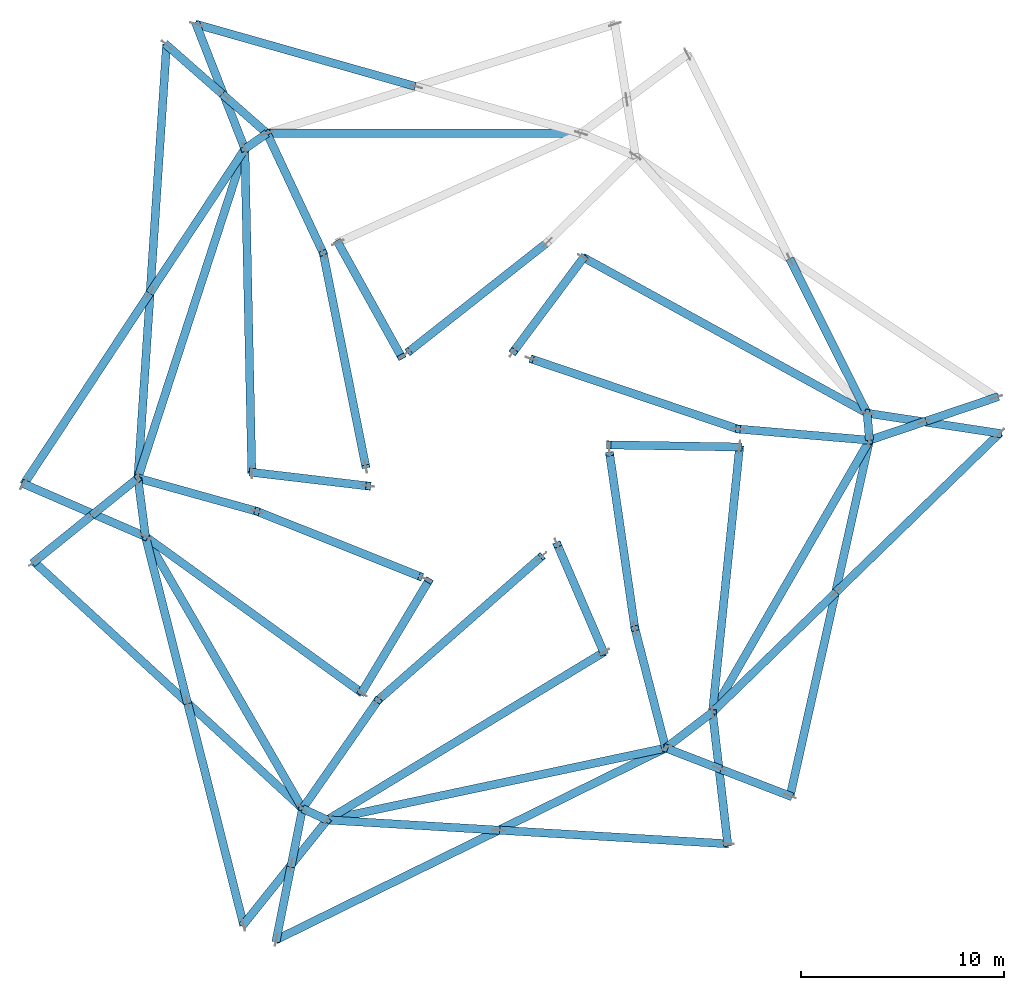
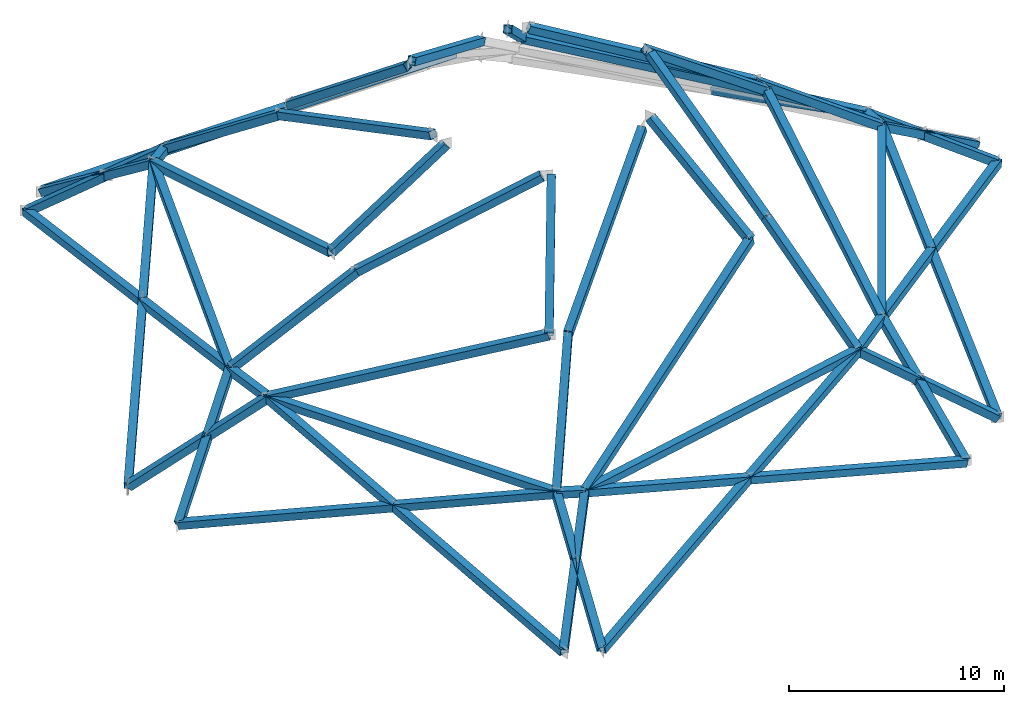
# One storey, part 1 of 6: 51 members, 10 beams.
"""IFC4 building model written with IfcOpenShell, lengths in metres."""

from ifc_helpers import new_model, si_unit, direction, frame, origin, origin_2d, place, context, subcontext, project, spatial, hollow_rectangle, extrude, material, material_profile, profile_set, type_object, element, save


model = new_model("IFC4")

# Units and contexts
model_context = context("Model", 3, precision=1e-05, world=origin(), true_north=direction((0.0, 1.0)))
body_context = subcontext(model_context, "Body", "Model", "MODEL_VIEW")
ifc_project = project(units=[si_unit("LENGTHUNIT", "METRE"), si_unit("AREAUNIT", "SQUARE_METRE"), si_unit("VOLUMEUNIT", "CUBIC_METRE"), si_unit("PLANEANGLEUNIT", "RADIAN"), si_unit("MASSUNIT", "GRAM", prefix="KILO")], contexts=[model_context])

# Site, building, storey
site_placement = place(None, origin())
site = spatial("IfcSite", under=ifc_project, at=site_placement, CompositionType="ELEMENT")
building_placement = place(site_placement, origin())
building = spatial("IfcBuilding", under=site, at=building_placement, Name="Isthmus Gate Tower", CompositionType="ELEMENT")
storey_placement = place(building_placement, frame((0.0, 0.0, 320.10009765625)))
storey = spatial("IfcBuildingStorey", under=building, at=storey_placement, Name="C5", CompositionType="ELEMENT", Elevation=320.10009765625)

# Members
ifc_material_1 = material(Name="Structural steel ASTM A500 Gr C", Category="steel")
ifc_material_profile_1 = material_profile(ifc_material_1, hollow_rectangle(XDim=0.406494140625, YDim=0.406494140625, WallThickness=0.017578125, at=origin_2d()), Name="HSS16X16X3/4")
ifc_profile_set_1 = profile_set([ifc_material_profile_1], Name="Structural steel ASTM A500 Gr C")
member_type = type_object("IfcMemberType", Name="PYRAMID FACET BRACE HSS16X16X3/4", PredefinedType="BRACE", material=ifc_profile_set_1)
member_1_placement = place(storey_placement, frame((-13.96923828125, 21.5, -4.5), z_axis=(0.937970008925, -0.265857135699, 0.22255840976), x_axis=(0.272696540045, 0.962100097208, 0.0)))
element("IfcMember", 1, at=member_1_placement, inside=storey, type_object=member_type, Name="str-crowndiag-C5-001", PredefinedType="BRACE", context=body_context, shape_type="SweptSolid", body=[
    extrude(hollow_rectangle(XDim=0.406494140625, YDim=0.406494140625, WallThickness=0.017578125, at=origin_2d()), origin(), (0.0, 0.0, 1.0), 11.55322265625),
])
member_2_placement = place(storey_placement, frame((-13.96923828125, 21.5, -4.5), z_axis=(0.300666424751, -0.769385597437, 0.563600482154), x_axis=(0.931405983021, 0.363981997896, 0.0)))
element("IfcMember", 2, at=member_2_placement, inside=storey, type_object=member_type, Name="str-crowndiag-C5-002", PredefinedType="BRACE", context=body_context, shape_type="SweptSolid", body=[
    extrude(hollow_rectangle(XDim=0.406494140625, YDim=0.406494140625, WallThickness=0.017578125, at=origin_2d()), origin(), (0.0, 0.0, 1.0), 7.984375),
])
member_3_placement = place(storey_placement, frame((-15.425048828125, 20.475830078125, -4.5), z_axis=(0.620151251678, -0.545289715555, 0.563978325073), x_axis=(0.66032524677, 0.75097973906, 0.0)))
element("IfcMember", 3, at=member_3_placement, inside=storey, type_object=member_type, Name="str-crowndiag-C5-003", PredefinedType="BRACE", context=body_context, shape_type="SweptSolid", body=[
    extrude(hollow_rectangle(XDim=0.406494140625, YDim=0.406494140625, WallThickness=0.017578125, at=origin_2d()), origin(), (0.0, 0.0, 1.0), 4.55908203125),
])
member_4_placement = place(storey_placement, frame((-15.425048828125, 20.475830078125, -4.5), z_axis=(-0.06463151926, -0.976423135535, 0.205962683781), x_axis=(0.997816474053, -0.066047589732, 0.0)))
element("IfcMember", 4, at=member_4_placement, inside=storey, type_object=member_type, Name="str-crowndiag-C5-004", PredefinedType="BRACE", context=body_context, shape_type="SweptSolid", body=[
    extrude(hollow_rectangle(XDim=0.406494140625, YDim=0.406494140625, WallThickness=0.017578125, at=origin_2d()), origin(), (0.0, 0.0, 1.0), 21.8486328125),
])
member_5_placement = place(storey_placement, frame((-22.449462890625, -1.1435546875, -4.5), z_axis=(0.536772766661, 0.814001030684, 0.221984952231), x_axis=(-0.834829961824, 0.550507888083, 0.0)))
element("IfcMember", 5, at=member_5_placement, inside=storey, type_object=member_type, Name="str-crowndiag-C5-005", PredefinedType="BRACE", context=body_context, shape_type="SweptSolid", body=[
    extrude(hollow_rectangle(XDim=0.406494140625, YDim=0.406494140625, WallThickness=0.017578125, at=origin_2d()), origin(), (0.0, 0.0, 1.0), 11.583251953125),
])
member_6_placement = place(storey_placement, frame((-22.449462890625, -1.1435546875, -4.5), z_axis=(0.755392437944, -0.327180658777, 0.567745613121), x_axis=(0.397447821301, 0.917624775899, 0.0)))
element("IfcMember", 6, at=member_6_placement, inside=storey, type_object=member_type, Name="str-crowndiag-C5-006", PredefinedType="BRACE", context=body_context, shape_type="SweptSolid", body=[
    extrude(hollow_rectangle(XDim=0.406494140625, YDim=0.406494140625, WallThickness=0.017578125, at=origin_2d()), origin(), (0.0, 0.0, 1.0), 7.926025390625),
])
member_7_placement = place(storey_placement, frame((-21.949462890625, -4.982177734375, -4.5), z_axis=(0.642101584515, 0.51798483999, 0.56515242254), x_axis=(-0.627870679847, 0.778317678965, 0.0)))
element("IfcMember", 7, at=member_7_placement, inside=storey, type_object=member_type, Name="str-crowndiag-C5-007", PredefinedType="BRACE", context=body_context, shape_type="SweptSolid", body=[
    extrude(hollow_rectangle(XDim=0.406494140625, YDim=0.406494140625, WallThickness=0.017578125, at=origin_2d()), origin(), (0.0, 0.0, 1.0), 4.5498046875),
])
member_8_placement = place(storey_placement, frame((-21.949462890625, -4.982177734375, -4.5), z_axis=(0.714186277776, -0.656405795357, 0.243041956169), x_axis=(0.676695999129, 0.736262537933, 0.0)))
element("IfcMember", 8, at=member_8_placement, inside=storey, type_object=member_type, Name="str-crowndiag-C5-008", PredefinedType="BRACE", context=body_context, shape_type="SweptSolid", body=[
    extrude(hollow_rectangle(XDim=0.406494140625, YDim=0.406494140625, WallThickness=0.017578125, at=origin_2d()), origin(), (0.0, 0.0, 1.0), 18.515380859375),
])
member_9_placement = place(storey_placement, frame((-11.634765625, -22.847900390625, -4.5), z_axis=(-0.238764113963, 0.945230337347, 0.222556301288), x_axis=(-0.969546725171, -0.244906406021, 0.0)))
element("IfcMember", 9, at=member_9_placement, inside=storey, type_object=member_type, Name="str-crowndiag-C5-009", PredefinedType="BRACE", context=body_context, shape_type="SweptSolid", body=[
    extrude(hollow_rectangle(XDim=0.406494140625, YDim=0.406494140625, WallThickness=0.017578125, at=origin_2d()), origin(), (0.0, 0.0, 1.0), 11.553466796875),
])
member_10_placement = place(storey_placement, frame((-11.634765625, -22.847900390625, -4.5), z_axis=(0.515960797212, 0.645088594215, 0.563600178631), x_axis=(-0.780933809527, 0.624613788783, 0.0)))
element("IfcMember", 10, at=member_10_placement, inside=storey, type_object=member_type, Name="str-crowndiag-C5-010", PredefinedType="BRACE", context=body_context, shape_type="SweptSolid", body=[
    extrude(hollow_rectangle(XDim=0.406494140625, YDim=0.406494140625, WallThickness=0.017578125, at=origin_2d()), origin(), (0.0, 0.0, 1.0), 7.984375),
])
member_11_placement = place(storey_placement, frame((-10.020263671875, -23.596435546875, -4.5), z_axis=(0.162191466686, 0.809725770625, 0.563948671884), x_axis=(-0.98052327454, 0.1964029228, 0.0)))
element("IfcMember", 11, at=member_11_placement, inside=storey, type_object=member_type, Name="str-crowndiag-C5-011", PredefinedType="BRACE", context=body_context, shape_type="SweptSolid", body=[
    extrude(hollow_rectangle(XDim=0.406494140625, YDim=0.406494140625, WallThickness=0.017578125, at=origin_2d()), origin(), (0.0, 0.0, 1.0), 4.559326171875),
])
member_12_placement = place(storey_placement, frame((-10.020263671875, -23.596435546875, -4.5), z_axis=(0.877925094372, 0.432235751203, 0.205960637148), x_axis=(-0.441705801177, 0.897159955196, 0.0)))
element("IfcMember", 12, at=member_12_placement, inside=storey, type_object=member_type, Name="str-crowndiag-C5-012", PredefinedType="BRACE", context=body_context, shape_type="SweptSolid", body=[
    extrude(hollow_rectangle(XDim=0.406494140625, YDim=0.406494140625, WallThickness=0.017578125, at=origin_2d()), origin(), (0.0, 0.0, 1.0), 21.848876953125),
])
member_13_placement = place(storey_placement, frame((12.215087890625, -18.8701171875, -4.5), z_axis=(-0.973332700743, 0.05785617721, 0.221982243487), x_axis=(-0.059336582931, -0.998238032699, 0.0)))
element("IfcMember", 13, at=member_13_placement, inside=storey, type_object=member_type, Name="str-crowndiag-C5-013", PredefinedType="BRACE", context=body_context, shape_type="SweptSolid", body=[
    extrude(hollow_rectangle(XDim=0.406494140625, YDim=0.406494140625, WallThickness=0.017578125, at=origin_2d()), origin(), (0.0, 0.0, 1.0), 11.583251953125),
])
member_14_placement = place(storey_placement, frame((12.215087890625, -18.8701171875, -4.5), z_axis=(-0.094376188892, 0.817783229466, 0.567735611507), x_axis=(-0.993406641525, -0.11464399057, 0.0)))
element("IfcMember", 14, at=member_14_placement, inside=storey, type_object=member_type, Name="str-crowndiag-C5-014", PredefinedType="BRACE", context=body_context, shape_type="SweptSolid", body=[
    extrude(hollow_rectangle(XDim=0.406494140625, YDim=0.406494140625, WallThickness=0.017578125, at=origin_2d()), origin(), (0.0, 0.0, 1.0), 7.92626953125),
])
member_15_placement = place(storey_placement, frame((15.28955078125, -16.517822265625, -4.5), z_axis=(-0.769648855952, 0.297063101621, 0.565149672376), x_axis=(-0.360081553038, -0.932920830061, 0.0)))
element("IfcMember", 15, at=member_15_placement, inside=storey, type_object=member_type, Name="str-crowndiag-C5-015", PredefinedType="BRACE", context=body_context, shape_type="SweptSolid", body=[
    extrude(hollow_rectangle(XDim=0.406494140625, YDim=0.406494140625, WallThickness=0.017578125, at=origin_2d()), origin(), (0.0, 0.0, 1.0), 4.5498046875),
])
member_16_placement = place(storey_placement, frame((15.28955078125, -16.517822265625, -4.5), z_axis=(0.211369651123, 0.946706602724, 0.243042134092), x_axis=(-0.975970359166, 0.217903322666, 0.0)))
element("IfcMember", 16, at=member_16_placement, inside=storey, type_object=member_type, Name="str-crowndiag-C5-016", PredefinedType="BRACE", context=body_context, shape_type="SweptSolid", body=[
    extrude(hollow_rectangle(XDim=0.406494140625, YDim=0.406494140625, WallThickness=0.017578125, at=origin_2d()), origin(), (0.0, 0.0, 1.0), 18.515380859375),
])
member_17_placement = place(storey_placement, frame((25.604248046875, 1.347900390625, -4.5), z_axis=(-0.699212058164, -0.679390942066, 0.222554365396), x_axis=(0.69686820067, -0.717199212838, 0.0)))
element("IfcMember", 17, at=member_17_placement, inside=storey, type_object=member_type, Name="str-crowndiag-C5-017", PredefinedType="BRACE", context=body_context, shape_type="SweptSolid", body=[
    extrude(hollow_rectangle(XDim=0.406494140625, YDim=0.406494140625, WallThickness=0.017578125, at=origin_2d()), origin(), (0.0, 0.0, 1.0), 11.553466796875),
])
member_18_placement = place(storey_placement, frame((25.604248046875, 1.347900390625, -4.5), z_axis=(-0.816647633464, 0.124295066273, 0.563593274674), x_axis=(-0.150468737127, -0.988614767818, 0.0)))
element("IfcMember", 18, at=member_18_placement, inside=storey, type_object=member_type, Name="str-crowndiag-C5-018", PredefinedType="BRACE", context=body_context, shape_type="SweptSolid", body=[
    extrude(hollow_rectangle(XDim=0.406494140625, YDim=0.406494140625, WallThickness=0.017578125, at=origin_2d()), origin(), (0.0, 0.0, 1.0), 7.984375),
])
member_19_placement = place(storey_placement, frame((25.445068359375, 3.120361328125, -4.5), z_axis=(-0.78233664367, -0.264366598891, 0.563967798161), x_axis=(0.320135177495, -0.947371874255, 0.0)))
element("IfcMember", 19, at=member_19_placement, inside=storey, type_object=member_type, Name="str-crowndiag-C5-019", PredefinedType="BRACE", context=body_context, shape_type="SweptSolid", body=[
    extrude(hollow_rectangle(XDim=0.406494140625, YDim=0.406494140625, WallThickness=0.017578125, at=origin_2d()), origin(), (0.0, 0.0, 1.0), 4.559326171875),
])
member_20_placement = place(storey_placement, frame((-10.47705078125, 16.125, 0.0), z_axis=(0.349564723407, -0.744353070957, 0.568984191261), x_axis=(0.905155304505, 0.425081021367, 0.0)))
element("IfcMember", 20, at=member_20_placement, inside=storey, type_object=member_type, Name="str-crowndiag-C5-025", PredefinedType="BRACE", context=body_context, shape_type="SweptSolid", body=[
    extrude(hollow_rectangle(XDim=0.406494140625, YDim=0.406494140625, WallThickness=0.017578125, at=origin_2d()), origin(), (0.0, 0.0, 1.0), 7.908935546875),
])
member_21_placement = place(storey_placement, frame((-11.568603515625, 15.35693359375, 0.0), z_axis=(0.0207632116, -0.962127114811, 0.271809315496), x_axis=(0.999767221699, 0.021575504999, 0.0)))
element("IfcMember", 21, at=member_21_placement, inside=storey, type_object=member_type, Name="str-crowndiag-C5-026", PredefinedType="BRACE", context=body_context, shape_type="SweptSolid", body=[
    extrude(hollow_rectangle(XDim=0.406494140625, YDim=0.406494140625, WallThickness=0.017578125, at=origin_2d()), origin(), (0.0, 0.0, 1.0), 16.5556640625),
])
member_22_placement = place(storey_placement, frame((-16.837158203125, -0.857666015625, 0.0), z_axis=(0.774546694405, -0.21582924922, 0.594554584011), x_axis=(0.268425893564, 0.963300337208, 0.0)))
element("IfcMember", 22, at=member_22_placement, inside=storey, type_object=member_type, Name="str-crowndiag-C5-027", PredefinedType="BRACE", context=body_context, shape_type="SweptSolid", body=[
    extrude(hollow_rectangle(XDim=0.406494140625, YDim=0.406494140625, WallThickness=0.017578125, at=origin_2d()), origin(), (0.0, 0.0, 1.0), 7.568603515625),
])
member_23_placement = place(storey_placement, frame((-16.462158203125, -3.73681640625, 0.0), z_axis=(0.766920640106, -0.553823611256, 0.324210023587), x_axis=(0.585446425549, 0.810711097008, 0.0)))
element("IfcMember", 23, at=member_23_placement, inside=storey, type_object=member_type, Name="str-crowndiag-C5-028", PredefinedType="BRACE", context=body_context, shape_type="SweptSolid", body=[
    extrude(hollow_rectangle(XDim=0.406494140625, YDim=0.406494140625, WallThickness=0.017578125, at=origin_2d()), origin(), (0.0, 0.0, 1.0), 13.8798828125),
])
member_24_placement = place(storey_placement, frame((-8.72607421875, -17.1357421875, 0.0), z_axis=(0.469862680786, 0.674897036333, 0.56898422786), x_axis=(-0.820694741619, 0.571366905831, 0.0)))
element("IfcMember", 24, at=member_24_placement, inside=storey, type_object=member_type, Name="str-crowndiag-C5-029", PredefinedType="BRACE", context=body_context, shape_type="SweptSolid", body=[
    extrude(hollow_rectangle(XDim=0.406494140625, YDim=0.406494140625, WallThickness=0.017578125, at=origin_2d()), origin(), (0.0, 0.0, 1.0), 7.908935546875),
])
member_25_placement = place(storey_placement, frame((-7.51513671875, -17.697265625, 0.0), z_axis=(0.822841248197, 0.499051838231, 0.271807915675), x_axis=(-0.518575411847, 0.855031895445, 0.0)))
element("IfcMember", 25, at=member_25_placement, inside=storey, type_object=member_type, Name="str-crowndiag-C5-030", PredefinedType="BRACE", context=body_context, shape_type="SweptSolid", body=[
    extrude(hollow_rectangle(XDim=0.406494140625, YDim=0.406494140625, WallThickness=0.017578125, at=origin_2d()), origin(), (0.0, 0.0, 1.0), 16.555908203125),
])
member_26_placement = place(storey_placement, frame((9.161376953125, -14.152587890625, 0.0), z_axis=(-0.200375061183, 0.778695162915, 0.594544933633), x_axis=(-0.96845117454, -0.249203375844, 0.0)))
element("IfcMember", 26, at=member_26_placement, inside=storey, type_object=member_type, Name="str-crowndiag-C5-031", PredefinedType="BRACE", context=body_context, shape_type="SweptSolid", body=[
    extrude(hollow_rectangle(XDim=0.406494140625, YDim=0.406494140625, WallThickness=0.017578125, at=origin_2d()), origin(), (0.0, 0.0, 1.0), 7.56884765625),
])
member_27_placement = place(storey_placement, frame((11.467041015625, -12.38818359375, 0.0), z_axis=(0.096180271858, 0.941082096739, 0.324212650127), x_axis=(-0.99481795785, 0.101672172882, 0.0)))
element("IfcMember", 27, at=member_27_placement, inside=storey, type_object=member_type, Name="str-crowndiag-C5-032", PredefinedType="BRACE", context=body_context, shape_type="SweptSolid", body=[
    extrude(hollow_rectangle(XDim=0.406494140625, YDim=0.406494140625, WallThickness=0.017578125, at=origin_2d()), origin(), (0.0, 0.0, 1.0), 13.8798828125),
])
member_28_placement = place(storey_placement, frame((19.203125, 1.0107421875, 0.0), z_axis=(-0.81940384751, 0.0694875701, 0.568989290134), x_axis=(-0.084499298736, -0.996423538719, 0.0)))
element("IfcMember", 28, at=member_28_placement, inside=storey, type_object=member_type, Name="str-crowndiag-C5-033", PredefinedType="BRACE", context=body_context, shape_type="SweptSolid", body=[
    extrude(hollow_rectangle(XDim=0.406494140625, YDim=0.406494140625, WallThickness=0.017578125, at=origin_2d()), origin(), (0.0, 0.0, 1.0), 7.90869140625),
])
member_29_placement = place(storey_placement, frame((19.083740234375, 2.34033203125, 0.0), z_axis=(-0.843611958079, 0.463074496261, 0.271810366062), x_axis=(-0.481190934325, -0.87661581364, 0.0)))
element("IfcMember", 29, at=member_29_placement, inside=storey, type_object=member_type, Name="str-crowndiag-C5-034", PredefinedType="BRACE", context=body_context, shape_type="SweptSolid", body=[
    extrude(hollow_rectangle(XDim=0.406494140625, YDim=0.406494140625, WallThickness=0.017578125, at=origin_2d()), origin(), (0.0, 0.0, 1.0), 16.5556640625),
])
member_30_placement = place(storey_placement, frame((3.330078125, 10.75, 4.5), z_axis=(-0.697456452334, -0.549479379302, 0.460029247787), x_axis=(0.618850153143, -0.785509062936, 0.0)))
element("IfcMember", 30, at=member_30_placement, inside=storey, type_object=member_type, Name="str-crowndiag-C5-036", PredefinedType="BRACE", context=body_context, shape_type="SweptSolid", body=[
    extrude(hollow_rectangle(XDim=0.406494140625, YDim=0.406494140625, WallThickness=0.017578125, at=origin_2d()), origin(), (0.0, 0.0, 1.0), 9.781982421875),
])
member_31_placement = place(storey_placement, frame((-6.984619140625, 10.75, 4.5), z_axis=(0.398124781807, -0.716618393349, 0.572673324353), x_axis=(0.874155488396, 0.48564614907, 0.0)))
element("IfcMember", 31, at=member_31_placement, inside=storey, type_object=member_type, Name="str-crowndiag-C5-037", PredefinedType="BRACE", context=body_context, shape_type="SweptSolid", body=[
    extrude(hollow_rectangle(XDim=0.406494140625, YDim=0.406494140625, WallThickness=0.017578125, at=origin_2d()), origin(), (0.0, 0.0, 1.0), 7.85791015625),
])
member_32_placement = place(storey_placement, frame((-7.71240234375, 10.238037109375, 4.5), z_axis=(0.180471501003, -0.904371602215, 0.386706661997), x_axis=(0.980664586008, 0.195696115827, 0.0)))
element("IfcMember", 32, at=member_32_placement, inside=storey, type_object=member_type, Name="str-crowndiag-C5-038", PredefinedType="BRACE", context=body_context, shape_type="SweptSolid", body=[
    extrude(hollow_rectangle(XDim=0.406494140625, YDim=0.406494140625, WallThickness=0.017578125, at=origin_2d()), origin(), (0.0, 0.0, 1.0), 11.63671875),
])
member_33_placement = place(storey_placement, frame((-11.224853515625, -0.57177734375, 4.5), z_axis=(0.783517628057, -0.092017729179, 0.614518400083), x_axis=(0.116640181201, 0.993174238555, 0.0)))
element("IfcMember", 33, at=member_33_placement, inside=storey, type_object=member_type, Name="str-crowndiag-C5-039", PredefinedType="BRACE", context=body_context, shape_type="SweptSolid", body=[
    extrude(hollow_rectangle(XDim=0.406494140625, YDim=0.406494140625, WallThickness=0.017578125, at=origin_2d()), origin(), (0.0, 0.0, 1.0), 7.32275390625),
])
member_34_placement = place(storey_placement, frame((-10.974853515625, -2.4912109375, 4.5), z_axis=(0.824599322021, -0.329250711465, 0.46003252833), x_axis=(0.370818725748, 0.928705266828, 0.0)))
element("IfcMember", 34, at=member_34_placement, inside=storey, type_object=member_type, Name="str-crowndiag-C5-040", PredefinedType="BRACE", context=body_context, shape_type="SweptSolid", body=[
    extrude(hollow_rectangle(XDim=0.406494140625, YDim=0.406494140625, WallThickness=0.017578125, at=origin_2d()), origin(), (0.0, 0.0, 1.0), 9.781982421875),
])
member_35_placement = place(storey_placement, frame((-5.8173828125, -11.423828125, 4.5), z_axis=(0.421531865291, 0.703091662096, 0.572689271102), x_axis=(-0.85766677646, 0.514205893156, 0.0)))
element("IfcMember", 35, at=member_35_placement, inside=storey, type_object=member_type, Name="str-crowndiag-C5-041", PredefinedType="BRACE", context=body_context, shape_type="SweptSolid", body=[
    extrude(hollow_rectangle(XDim=0.406494140625, YDim=0.406494140625, WallThickness=0.017578125, at=origin_2d()), origin(), (0.0, 0.0, 1.0), 7.857666015625),
])
member_36_placement = place(storey_placement, frame((-5.010009765625, -11.798095703125, 4.5), z_axis=(0.692968184364, 0.60847931463, 0.386714389603), x_axis=(-0.659813079563, 0.751429770529, 0.0)))
element("IfcMember", 36, at=member_36_placement, inside=storey, type_object=member_type, Name="str-crowndiag-C5-042", PredefinedType="BRACE", context=body_context, shape_type="SweptSolid", body=[
    extrude(hollow_rectangle(XDim=0.406494140625, YDim=0.406494140625, WallThickness=0.017578125, at=origin_2d()), origin(), (0.0, 0.0, 1.0), 11.636474609375),
])
member_37_placement = place(storey_placement, frame((6.107666015625, -9.43505859375, 4.5), z_axis=(-0.312094584612, 0.724542197712, 0.614520605017), x_axis=(-0.918419939012, -0.39560689532, 0.0)))
element("IfcMember", 37, at=member_37_placement, inside=storey, type_object=member_type, Name="str-crowndiag-C5-043", PredefinedType="BRACE", context=body_context, shape_type="SweptSolid", body=[
    extrude(hollow_rectangle(XDim=0.406494140625, YDim=0.406494140625, WallThickness=0.017578125, at=origin_2d()), origin(), (0.0, 0.0, 1.0), 7.32275390625),
])
member_38_placement = place(storey_placement, frame((7.644775390625, -8.2587890625, 4.5), z_axis=(-0.127139966464, 0.878748319446, 0.460040019996), x_axis=(-0.98969492015, -0.143192056443, 0.0)))
element("IfcMember", 38, at=member_38_placement, inside=storey, type_object=member_type, Name="str-crowndiag-C5-044", PredefinedType="BRACE", context=body_context, shape_type="SweptSolid", body=[
    extrude(hollow_rectangle(XDim=0.406494140625, YDim=0.406494140625, WallThickness=0.017578125, at=origin_2d()), origin(), (0.0, 0.0, 1.0), 9.78173828125),
])
member_39_placement = place(storey_placement, frame((12.802001953125, 0.673828125, 4.5), z_axis=(-0.819663280045, 0.013515542505, 0.572686159652), x_axis=(-0.016486898738, -0.999864081848, 0.0)))
element("IfcMember", 39, at=member_39_placement, inside=storey, type_object=member_type, Name="str-crowndiag-C5-045", PredefinedType="BRACE", context=body_context, shape_type="SweptSolid", body=[
    extrude(hollow_rectangle(XDim=0.406494140625, YDim=0.406494140625, WallThickness=0.017578125, at=origin_2d()), origin(), (0.0, 0.0, 1.0), 7.857666015625),
])
member_40_placement = place(storey_placement, frame((12.72265625, 1.560302734375, 4.5), z_axis=(-0.873447511536, 0.295883701364, 0.386706968981), x_axis=(-0.320844559136, -0.947131864564, 0.0)))
element("IfcMember", 40, at=member_40_placement, inside=storey, type_object=member_type, Name="str-crowndiag-C5-046", PredefinedType="BRACE", context=body_context, shape_type="SweptSolid", body=[
    extrude(hollow_rectangle(XDim=0.406494140625, YDim=0.406494140625, WallThickness=0.017578125, at=origin_2d()), origin(), (0.0, 0.0, 1.0), 11.63671875),
])
member_41_placement = place(storey_placement, frame((5.1171875, 10.0068359375, 4.5), z_axis=(-0.471434176556, -0.632535303933, 0.614531452778), x_axis=(0.801801826933, -0.597590018597, 0.0)))
element("IfcMember", 41, at=member_41_placement, inside=storey, type_object=member_type, Name="str-crowndiag-C5-047", PredefinedType="BRACE", context=body_context, shape_type="SweptSolid", body=[
    extrude(hollow_rectangle(XDim=0.406494140625, YDim=0.406494140625, WallThickness=0.017578125, at=origin_2d()), origin(), (0.0, 0.0, 1.0), 7.32275390625),
])
member_42_placement = place(storey_placement, frame((-12.59765625, 17.98974609375, -1.9287109375), z_axis=(0.620119158538, -0.545299347561, 0.564004300305), x_axis=(0.66035109718, 0.750957008392, 0.0)))
element("IfcMember", 42, at=member_42_placement, inside=storey, type_object=member_type, Name="str-crowndiag-C5-003b", PredefinedType="BRACE", context=body_context, shape_type="SweptSolid", body=[
    extrude(hollow_rectangle(XDim=0.406494140625, YDim=0.406494140625, WallThickness=0.017578125, at=origin_2d()), origin(), (0.0, 0.0, 1.0), 3.419677734375),
])
member_43_placement = place(storey_placement, frame((-16.23193359375, 8.28515625, -1.9287109375), z_axis=(0.536772143179, 0.813996225294, 0.22200407995), x_axis=(-0.834828762107, 0.550509707416, 0.0)))
element("IfcMember", 43, at=member_43_placement, inside=storey, type_object=member_type, Name="str-crowndiag-C5-005b", PredefinedType="BRACE", context=body_context, shape_type="SweptSolid", body=[
    extrude(hollow_rectangle(XDim=0.406494140625, YDim=0.406494140625, WallThickness=0.017578125, at=origin_2d()), origin(), (0.0, 0.0, 1.0), 8.687744140625),
])
member_44_placement = place(storey_placement, frame((-19.028076171875, -2.62548828125, -1.9287109375), z_axis=(0.64202485253, 0.518041225448, 0.565187913415), x_axis=(-0.627957534097, 0.778247605439, 0.0)))
element("IfcMember", 44, at=member_44_placement, inside=storey, type_object=member_type, Name="str-crowndiag-C5-007b", PredefinedType="BRACE", context=body_context, shape_type="SweptSolid", body=[
    extrude(hollow_rectangle(XDim=0.406494140625, YDim=0.406494140625, WallThickness=0.017578125, at=origin_2d()), origin(), (0.0, 0.0, 1.0), 3.41259765625),
])
member_45_placement = place(storey_placement, frame((-14.393310546875, -11.92724609375, -1.9287109375), z_axis=(-0.238757564095, 0.945225249026, 0.222584937025), x_axis=(-0.969548007386, -0.244901329873, 0.0)))
element("IfcMember", 45, at=member_45_placement, inside=storey, type_object=member_type, Name="str-crowndiag-C5-009b", PredefinedType="BRACE", context=body_context, shape_type="SweptSolid", body=[
    extrude(hollow_rectangle(XDim=0.406494140625, YDim=0.406494140625, WallThickness=0.017578125, at=origin_2d()), origin(), (0.0, 0.0, 1.0), 8.6650390625),
])
member_46_placement = place(storey_placement, frame((-9.28076171875, -19.904541015625, -1.9287109375), z_axis=(0.162207002987, 0.809678530313, 0.56401202623), x_axis=(-0.980517444135, 0.196432028311, 0.0)))
element("IfcMember", 46, at=member_46_placement, inside=storey, type_object=member_type, Name="str-crowndiag-C5-011b", PredefinedType="BRACE", context=body_context, shape_type="SweptSolid", body=[
    extrude(hollow_rectangle(XDim=0.406494140625, YDim=0.406494140625, WallThickness=0.017578125, at=origin_2d()), origin(), (0.0, 0.0, 1.0), 3.419677734375),
])
member_47_placement = place(storey_placement, frame((0.940673828125, -18.199951171875, -1.9287109375), z_axis=(-0.973326232847, 0.057862818347, 0.222008870781), x_axis=(-0.059343762971, -0.998237605882, 0.0)))
element("IfcMember", 47, at=member_47_placement, inside=storey, type_object=member_type, Name="str-crowndiag-C5-013b", PredefinedType="BRACE", context=body_context, shape_type="SweptSolid", body=[
    extrude(hollow_rectangle(XDim=0.406494140625, YDim=0.406494140625, WallThickness=0.017578125, at=origin_2d()), origin(), (0.0, 0.0, 1.0), 8.6875),
])
member_48_placement = place(storey_placement, frame((11.787841796875, -15.166259765625, -1.9287109375), z_axis=(-0.769639609731, 0.297038823165, 0.565175024807), x_axis=(-0.360059704314, -0.932929262768, 0.0)))
element("IfcMember", 48, at=member_48_placement, inside=storey, type_object=member_type, Name="str-crowndiag-C5-015b", PredefinedType="BRACE", context=body_context, shape_type="SweptSolid", body=[
    extrude(hollow_rectangle(XDim=0.406494140625, YDim=0.406494140625, WallThickness=0.017578125, at=origin_2d()), origin(), (0.0, 0.0, 1.0), 3.41259765625),
])
member_49_placement = place(storey_placement, frame((17.52587890625, -6.50146484375, -1.9287109375), z_axis=(-0.699228003645, -0.67936437216, 0.22258537409), x_axis=(0.69684600725, -0.717220776456, 0.0)))
element("IfcMember", 49, at=member_49_placement, inside=storey, type_object=member_type, Name="str-crowndiag-C5-017b", PredefinedType="BRACE", context=body_context, shape_type="SweptSolid", body=[
    extrude(hollow_rectangle(XDim=0.406494140625, YDim=0.406494140625, WallThickness=0.017578125, at=origin_2d()), origin(), (0.0, 0.0, 1.0), 8.6650390625),
])
member_50_placement = place(storey_placement, frame((21.878173828125, 1.9150390625, -1.9287109375), z_axis=(-0.782272831823, -0.26444634198, 0.564018925929), x_axis=(0.320245284322, -0.947334659912, 0.0)))
element("IfcMember", 50, at=member_50_placement, inside=storey, type_object=member_type, Name="str-crowndiag-C5-019b", PredefinedType="BRACE", context=body_context, shape_type="SweptSolid", body=[
    extrude(hollow_rectangle(XDim=0.406494140625, YDim=0.406494140625, WallThickness=0.017578125, at=origin_2d()), origin(), (0.0, 0.0, 1.0), 3.419677734375),
])
member_51_placement = place(storey_placement, frame((15.291259765625, 9.91455078125, -1.9287109375), z_axis=(0.436547500745, -0.87185848224, 0.222011410833), x_axis=(0.894173413643, 0.447720790599, 0.0)))
element("IfcMember", 51, at=member_51_placement, inside=storey, type_object=member_type, Name="str-crowndiag-C5-021b", PredefinedType="BRACE", context=body_context, shape_type="SweptSolid", body=[
    extrude(hollow_rectangle(XDim=0.406494140625, YDim=0.406494140625, WallThickness=0.017578125, at=origin_2d()), origin(), (0.0, 0.0, 1.0), 8.6875),
])

# Beams
ifc_material_2 = material(Name="Structural steel ASTM A500 Gr C", Category="steel")
ifc_material_profile_2 = material_profile(ifc_material_2, hollow_rectangle(XDim=0.406494140625, YDim=0.406494140625, WallThickness=0.017578125, at=origin_2d()), Name="HSS16X16X3/4")
ifc_profile_set_2 = profile_set([ifc_material_profile_2], Name="Structural steel ASTM A500 Gr C")
beam_type = type_object("IfcBeamType", Name="PYRAMID RING BEAM HSS16X16X3/4", PredefinedType="BEAM", material=ifc_profile_set_2)
beam_1_placement = place(storey_placement, frame((4.9951171875, 16.125, 0.0), z_axis=(-1.0, 0.0, 0.0), x_axis=(0.0, -1.0, 0.0)))
element("IfcBeam", 52, at=beam_1_placement, inside=storey, type_object=beam_type, Name="str-crownring-C5-00", PredefinedType="BEAM", context=body_context, shape_type="SweptSolid", body=[
    extrude(hollow_rectangle(XDim=0.406494140625, YDim=0.406494140625, WallThickness=0.017578125, at=origin_2d()), origin(), (0.0, 0.0, 1.0), 15.47216796875),
])
beam_2_placement = place(storey_placement, frame((-10.47705078125, 16.125, 0.0), z_axis=(-0.817828738102, -0.575461688676, 0.0), x_axis=(0.575461688676, -0.817828738102, 0.0)))
element("IfcBeam", 53, at=beam_2_placement, inside=storey, type_object=beam_type, Name="str-crownring-C5-01", PredefinedType="BEAM", context=body_context, shape_type="SweptSolid", body=[
    extrude(hollow_rectangle(XDim=0.406494140625, YDim=0.406494140625, WallThickness=0.017578125, at=origin_2d()), origin(), (0.0, 0.0, 1.0), 1.334716796875),
])
beam_3_placement = place(storey_placement, frame((-11.568603515625, 15.35693359375, 0.0), z_axis=(-0.309022931444, -0.951054587204, 0.0), x_axis=(0.951054587204, -0.309022931444, 0.0)))
element("IfcBeam", 54, at=beam_3_placement, inside=storey, type_object=beam_type, Name="str-crownring-C5-02", PredefinedType="BEAM", context=body_context, shape_type="SweptSolid", body=[
    extrude(hollow_rectangle(XDim=0.406494140625, YDim=0.406494140625, WallThickness=0.017578125, at=origin_2d()), origin(), (0.0, 0.0, 1.0), 17.049072265625),
])
beam_4_placement = place(storey_placement, frame((-16.837158203125, -0.857666015625, 0.0), z_axis=(0.12915584972, -0.991624307126, 0.0), x_axis=(0.991624307126, 0.12915584972, 0.0)))
element("IfcBeam", 55, at=beam_4_placement, inside=storey, type_object=beam_type, Name="str-crownring-C5-03", PredefinedType="BEAM", context=body_context, shape_type="SweptSolid", body=[
    extrude(hollow_rectangle(XDim=0.406494140625, YDim=0.406494140625, WallThickness=0.017578125, at=origin_2d()), origin(), (0.0, 0.0, 1.0), 2.903564453125),
])
beam_5_placement = place(storey_placement, frame((-16.462158203125, -3.73681640625, 0.0), z_axis=(0.500010207747, -0.866019510259, 0.0), x_axis=(0.866019510259, 0.500010207747, 0.0)))
element("IfcBeam", 56, at=beam_5_placement, inside=storey, type_object=beam_type, Name="str-crownring-C5-04", PredefinedType="BEAM", context=body_context, shape_type="SweptSolid", body=[
    extrude(hollow_rectangle(XDim=0.406494140625, YDim=0.406494140625, WallThickness=0.017578125, at=origin_2d()), origin(), (0.0, 0.0, 1.0), 15.471923828125),
])
beam_6_placement = place(storey_placement, frame((-8.72607421875, -17.1357421875, 0.0), z_axis=(0.907208468307, -0.420681346191, 0.0), x_axis=(0.420681346191, 0.907208468307, 0.0)))
element("IfcBeam", 57, at=beam_6_placement, inside=storey, type_object=beam_type, Name="str-crownring-C5-05", PredefinedType="BEAM", context=body_context, shape_type="SweptSolid", body=[
    extrude(hollow_rectangle(XDim=0.406494140625, YDim=0.406494140625, WallThickness=0.017578125, at=origin_2d()), origin(), (0.0, 0.0, 1.0), 1.334716796875),
])
beam_7_placement = place(storey_placement, frame((-7.51513671875, -17.697265625, 0.0), z_axis=(0.978147895035, 0.207910306235, 0.0), x_axis=(-0.207910306235, 0.978147895035, 0.0)))
element("IfcBeam", 58, at=beam_7_placement, inside=storey, type_object=beam_type, Name="str-crownring-C5-06", PredefinedType="BEAM", context=body_context, shape_type="SweptSolid", body=[
    extrude(hollow_rectangle(XDim=0.406494140625, YDim=0.406494140625, WallThickness=0.017578125, at=origin_2d()), origin(), (0.0, 0.0, 1.0), 17.049072265625),
])
beam_8_placement = place(storey_placement, frame((9.161376953125, -14.152587890625, 0.0), z_axis=(0.794150130909, 0.607721621779, 0.0), x_axis=(-0.607721621779, 0.794150130909, 0.0)))
element("IfcBeam", 59, at=beam_8_placement, inside=storey, type_object=beam_type, Name="str-crownring-C5-07", PredefinedType="BEAM", context=body_context, shape_type="SweptSolid", body=[
    extrude(hollow_rectangle(XDim=0.406494140625, YDim=0.406494140625, WallThickness=0.017578125, at=origin_2d()), origin(), (0.0, 0.0, 1.0), 2.9033203125),
])
beam_9_placement = place(storey_placement, frame((11.467041015625, -12.38818359375, 0.0), z_axis=(0.500010207747, 0.866019510259, 0.0), x_axis=(-0.866019510259, 0.500010207747, 0.0)))
element("IfcBeam", 60, at=beam_9_placement, inside=storey, type_object=beam_type, Name="str-crownring-C5-08", PredefinedType="BEAM", context=body_context, shape_type="SweptSolid", body=[
    extrude(hollow_rectangle(XDim=0.406494140625, YDim=0.406494140625, WallThickness=0.017578125, at=origin_2d()), origin(), (0.0, 0.0, 1.0), 15.471923828125),
])
beam_10_placement = place(storey_placement, frame((19.203125, 1.0107421875, 0.0), z_axis=(-0.08943088358, 0.995993030629, 0.0), x_axis=(-0.995993030629, -0.08943088358, 0.0)))
element("IfcBeam", 61, at=beam_10_placement, inside=storey, type_object=beam_type, Name="str-crownring-C5-09", PredefinedType="BEAM", context=body_context, shape_type="SweptSolid", body=[
    extrude(hollow_rectangle(XDim=0.406494140625, YDim=0.406494140625, WallThickness=0.017578125, at=origin_2d()), origin(), (0.0, 0.0, 1.0), 1.3349609375),
])

save(model, "model.ifc")
